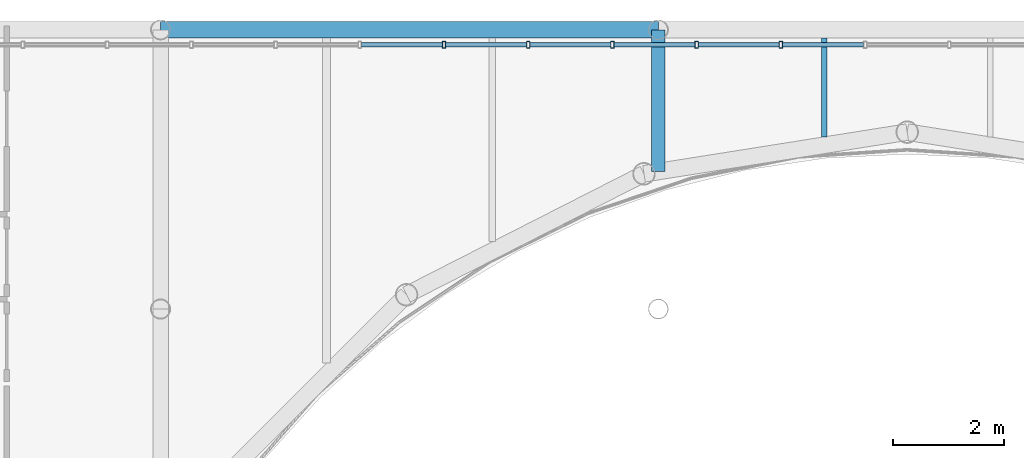
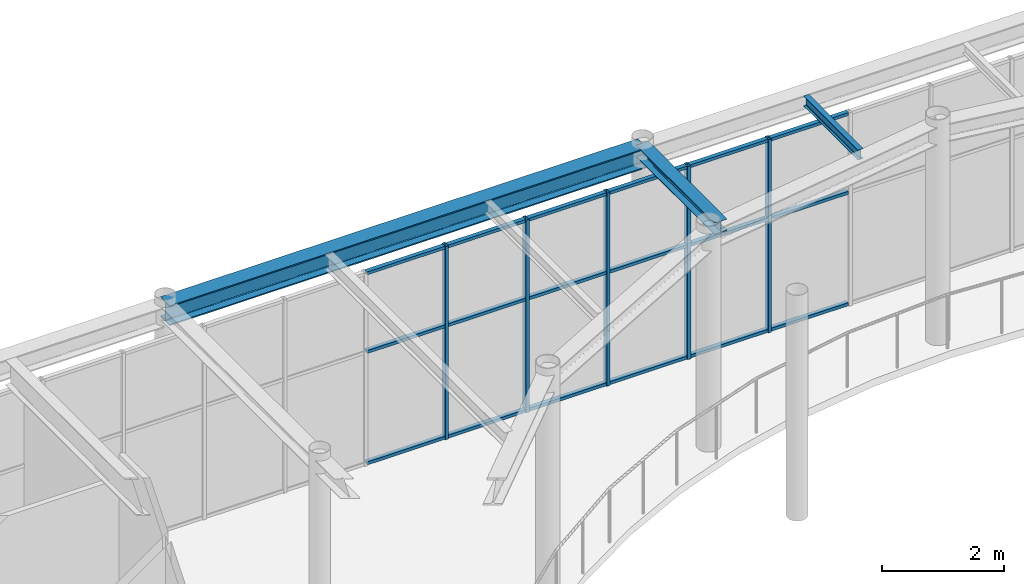
# One storey, part 47 of 111: 23 members, 3 beams, 1 element without a shape of its own.
"""IFC4 building model written with IfcOpenShell, lengths in metres."""

from ifc_helpers import new_model, si_unit, direction, frame, origin, origin_2d, place, context, subcontext, project, spatial, hollow_rectangle, i_section, extrude, material, layer, layer_set, material_profile, profile_set, type_object, element, aggregate, save


model = new_model("IFC4")

# Units and contexts
model_context = context("Model", 3, precision=1e-05, world=origin(), true_north=direction((0.0, 1.0)))
body_context = subcontext(model_context, "Body", "Model", "MODEL_VIEW")
ifc_project = project(units=[si_unit("LENGTHUNIT", "METRE"), si_unit("AREAUNIT", "SQUARE_METRE"), si_unit("VOLUMEUNIT", "CUBIC_METRE"), si_unit("PLANEANGLEUNIT", "RADIAN"), si_unit("MASSUNIT", "GRAM", prefix="KILO")], contexts=[model_context])

# Site, building, storey
site_placement = place(None, origin())
site = spatial("IfcSite", under=ifc_project, at=site_placement, CompositionType="ELEMENT")
building_placement = place(site_placement, origin())
building = spatial("IfcBuilding", under=site, at=building_placement, Name="Kallimachos Central Library", CompositionType="ELEMENT")
storey_placement = place(building_placement, frame((0.0, 0.0, 14.39990234375)))
storey = spatial("IfcBuildingStorey", under=building, at=storey_placement, Name="L03", CompositionType="ELEMENT", Elevation=14.39990234375)

# Curtain wall, members
ifc_material_1 = material(Name="Anodised aluminium and laminated glass", Category="aluminium")
ifc_layer = layer(ifc_material_1, 0.159912109375)
ifc_layer_set = layer_set([ifc_layer], Name="Glass box curtain wall")
curtain_wall_type = type_object("IfcCurtainWallType", Name="Glass box curtain wall", PredefinedType="NOTDEFINED", material=ifc_layer_set)
curtain_wall_placement = place(storey_placement, origin())
curtain_wall = element("IfcCurtainWall", 1, at=curtain_wall_placement, inside=storey, type_object=curtain_wall_type, Name="Glass box curtain wall N L03", PredefinedType="NOTDEFINED")
ifc_material_2 = material(Name="Anodised aluminium", Category="aluminium")
ifc_material_profile_1 = material_profile(ifc_material_2, hollow_rectangle(XDim=0.06005859375, YDim=0.1201171875, WallThickness=0.00390625, at=origin_2d()), Name="ALU MULLION 60x120")
ifc_profile_set_1 = profile_set([ifc_material_profile_1], Name="Anodised aluminium")
member_type_1 = type_object("IfcMemberType", Name="Glass box mullion 60x120", PredefinedType="MULLION", material=ifc_profile_set_1)
member_1_placement = place(storey_placement, frame((79.624755859375, 121.3798828125, 0.0), z_axis=(0.0, 0.0, 1.0), x_axis=(1.0, 0.0, 0.0)))
member_1 = element("IfcMember", 2, at=member_1_placement, type_object=member_type_1, Name="CW27 mullion 10", PredefinedType="MULLION", context=body_context, shape_type="SweptSolid", body=[
    extrude(hollow_rectangle(XDim=0.06005859375, YDim=0.1201171875, WallThickness=0.00390625, at=origin_2d()), origin(), (0.0, 0.0, 1.0), 3.85009765625),
])
member_2_placement = place(storey_placement, frame((81.147705078125, 121.3798828125, 0.0), z_axis=(0.0, 0.0, 1.0), x_axis=(1.0, 0.0, 0.0)))
member_2 = element("IfcMember", 3, at=member_2_placement, type_object=member_type_1, Name="CW27 mullion 11", PredefinedType="MULLION", context=body_context, shape_type="SweptSolid", body=[
    extrude(hollow_rectangle(XDim=0.06005859375, YDim=0.1201171875, WallThickness=0.00390625, at=origin_2d()), origin(), (0.0, 0.0, 1.0), 3.85009765625),
])
member_3_placement = place(storey_placement, frame((82.67041015625, 121.3798828125, 0.0), z_axis=(0.0, 0.0, 1.0), x_axis=(1.0, 0.0, 0.0)))
member_3 = element("IfcMember", 4, at=member_3_placement, type_object=member_type_1, Name="CW27 mullion 12", PredefinedType="MULLION", context=body_context, shape_type="SweptSolid", body=[
    extrude(hollow_rectangle(XDim=0.06005859375, YDim=0.1201171875, WallThickness=0.00390625, at=origin_2d()), origin(), (0.0, 0.0, 1.0), 3.85009765625),
])
member_4_placement = place(storey_placement, frame((84.193115234375, 121.3798828125, 0.0), z_axis=(0.0, 0.0, 1.0), x_axis=(1.0, 0.0, 0.0)))
member_4 = element("IfcMember", 5, at=member_4_placement, type_object=member_type_1, Name="CW27 mullion 13", PredefinedType="MULLION", context=body_context, shape_type="SweptSolid", body=[
    extrude(hollow_rectangle(XDim=0.06005859375, YDim=0.1201171875, WallThickness=0.00390625, at=origin_2d()), origin(), (0.0, 0.0, 1.0), 3.85009765625),
])
member_5_placement = place(storey_placement, frame((85.7158203125, 121.3798828125, 0.0), z_axis=(0.0, 0.0, 1.0), x_axis=(1.0, 0.0, 0.0)))
member_5 = element("IfcMember", 6, at=member_5_placement, type_object=member_type_1, Name="CW27 mullion 14", PredefinedType="MULLION", context=body_context, shape_type="SweptSolid", body=[
    extrude(hollow_rectangle(XDim=0.06005859375, YDim=0.1201171875, WallThickness=0.00390625, at=origin_2d()), origin(), (0.0, 0.0, 1.0), 3.85009765625),
])
ifc_material_3 = material(Name="Anodised aluminium", Category="aluminium")
ifc_material_profile_2 = material_profile(ifc_material_3, hollow_rectangle(XDim=0.06005859375, YDim=0.080078125, WallThickness=0.00390625, at=origin_2d()), Name="ALU TRANSOM 60x80")
ifc_profile_set_2 = profile_set([ifc_material_profile_2], Name="Anodised aluminium")
member_type_2 = type_object("IfcMemberType", Name="Glass box transom 60x80", PredefinedType="USERDEFINED", material=ifc_profile_set_2)
member_6_placement = place(storey_placement, frame((78.132080078125, 121.3798828125, 0.030029296875), z_axis=(1.0, 0.0, 0.0), x_axis=(0.0, 0.0, 1.0)))
member_6 = element("IfcMember", 7, at=member_6_placement, type_object=member_type_2, Name="CW27 transom 9.1", ObjectType="TRANSOM", PredefinedType="USERDEFINED", context=body_context, shape_type="SweptSolid", body=[
    extrude(hollow_rectangle(XDim=0.06005859375, YDim=0.080078125, WallThickness=0.00390625, at=origin_2d()), origin(), (0.0, 0.0, 1.0), 1.462646484375),
])
member_7_placement = place(storey_placement, frame((78.132080078125, 121.3798828125, 2.25), z_axis=(1.0, 0.0, 0.0), x_axis=(0.0, 0.0, 1.0)))
member_7 = element("IfcMember", 8, at=member_7_placement, type_object=member_type_2, Name="CW27 transom 9.2", ObjectType="TRANSOM", PredefinedType="USERDEFINED", context=body_context, shape_type="SweptSolid", body=[
    extrude(hollow_rectangle(XDim=0.06005859375, YDim=0.080078125, WallThickness=0.00390625, at=origin_2d()), origin(), (0.0, 0.0, 1.0), 1.462646484375),
])
member_8_placement = place(storey_placement, frame((78.132080078125, 121.3798828125, 3.820068359375), z_axis=(1.0, 0.0, 0.0), x_axis=(0.0, 0.0, 1.0)))
member_8 = element("IfcMember", 9, at=member_8_placement, type_object=member_type_2, Name="CW27 transom 9.3", ObjectType="TRANSOM", PredefinedType="USERDEFINED", context=body_context, shape_type="SweptSolid", body=[
    extrude(hollow_rectangle(XDim=0.06005859375, YDim=0.080078125, WallThickness=0.00390625, at=origin_2d()), origin(), (0.0, 0.0, 1.0), 1.462646484375),
])
member_9_placement = place(storey_placement, frame((79.65478515625, 121.3798828125, 0.030029296875), z_axis=(1.0, 0.0, 0.0), x_axis=(0.0, 0.0, 1.0)))
member_9 = element("IfcMember", 10, at=member_9_placement, type_object=member_type_2, Name="CW27 transom 10.1", ObjectType="TRANSOM", PredefinedType="USERDEFINED", context=body_context, shape_type="SweptSolid", body=[
    extrude(hollow_rectangle(XDim=0.06005859375, YDim=0.080078125, WallThickness=0.00390625, at=origin_2d()), origin(), (0.0, 0.0, 1.0), 1.462890625),
])
member_10_placement = place(storey_placement, frame((79.65478515625, 121.3798828125, 2.25), z_axis=(1.0, 0.0, 0.0), x_axis=(0.0, 0.0, 1.0)))
member_10 = element("IfcMember", 11, at=member_10_placement, type_object=member_type_2, Name="CW27 transom 10.2", ObjectType="TRANSOM", PredefinedType="USERDEFINED", context=body_context, shape_type="SweptSolid", body=[
    extrude(hollow_rectangle(XDim=0.06005859375, YDim=0.080078125, WallThickness=0.00390625, at=origin_2d()), origin(), (0.0, 0.0, 1.0), 1.462890625),
])
member_11_placement = place(storey_placement, frame((79.65478515625, 121.3798828125, 3.820068359375), z_axis=(1.0, 0.0, 0.0), x_axis=(0.0, 0.0, 1.0)))
member_11 = element("IfcMember", 12, at=member_11_placement, type_object=member_type_2, Name="CW27 transom 10.3", ObjectType="TRANSOM", PredefinedType="USERDEFINED", context=body_context, shape_type="SweptSolid", body=[
    extrude(hollow_rectangle(XDim=0.06005859375, YDim=0.080078125, WallThickness=0.00390625, at=origin_2d()), origin(), (0.0, 0.0, 1.0), 1.462890625),
])
member_12_placement = place(storey_placement, frame((81.177490234375, 121.3798828125, 0.030029296875), z_axis=(1.0, 0.0, 0.0), x_axis=(0.0, 0.0, 1.0)))
member_12 = element("IfcMember", 13, at=member_12_placement, type_object=member_type_2, Name="CW27 transom 11.1", ObjectType="TRANSOM", PredefinedType="USERDEFINED", context=body_context, shape_type="SweptSolid", body=[
    extrude(hollow_rectangle(XDim=0.06005859375, YDim=0.080078125, WallThickness=0.00390625, at=origin_2d()), origin(), (0.0, 0.0, 1.0), 1.462890625),
])
member_13_placement = place(storey_placement, frame((81.177490234375, 121.3798828125, 2.25), z_axis=(1.0, 0.0, 0.0), x_axis=(0.0, 0.0, 1.0)))
member_13 = element("IfcMember", 14, at=member_13_placement, type_object=member_type_2, Name="CW27 transom 11.2", ObjectType="TRANSOM", PredefinedType="USERDEFINED", context=body_context, shape_type="SweptSolid", body=[
    extrude(hollow_rectangle(XDim=0.06005859375, YDim=0.080078125, WallThickness=0.00390625, at=origin_2d()), origin(), (0.0, 0.0, 1.0), 1.462890625),
])
member_14_placement = place(storey_placement, frame((81.177490234375, 121.3798828125, 3.820068359375), z_axis=(1.0, 0.0, 0.0), x_axis=(0.0, 0.0, 1.0)))
member_14 = element("IfcMember", 15, at=member_14_placement, type_object=member_type_2, Name="CW27 transom 11.3", ObjectType="TRANSOM", PredefinedType="USERDEFINED", context=body_context, shape_type="SweptSolid", body=[
    extrude(hollow_rectangle(XDim=0.06005859375, YDim=0.080078125, WallThickness=0.00390625, at=origin_2d()), origin(), (0.0, 0.0, 1.0), 1.462890625),
])
member_15_placement = place(storey_placement, frame((82.700439453125, 121.3798828125, 0.030029296875), z_axis=(1.0, 0.0, 0.0), x_axis=(0.0, 0.0, 1.0)))
member_15 = element("IfcMember", 16, at=member_15_placement, type_object=member_type_2, Name="CW27 transom 12.1", ObjectType="TRANSOM", PredefinedType="USERDEFINED", context=body_context, shape_type="SweptSolid", body=[
    extrude(hollow_rectangle(XDim=0.06005859375, YDim=0.080078125, WallThickness=0.00390625, at=origin_2d()), origin(), (0.0, 0.0, 1.0), 1.462646484375),
])
member_16_placement = place(storey_placement, frame((82.700439453125, 121.3798828125, 2.25), z_axis=(1.0, 0.0, 0.0), x_axis=(0.0, 0.0, 1.0)))
member_16 = element("IfcMember", 17, at=member_16_placement, type_object=member_type_2, Name="CW27 transom 12.2", ObjectType="TRANSOM", PredefinedType="USERDEFINED", context=body_context, shape_type="SweptSolid", body=[
    extrude(hollow_rectangle(XDim=0.06005859375, YDim=0.080078125, WallThickness=0.00390625, at=origin_2d()), origin(), (0.0, 0.0, 1.0), 1.462646484375),
])
member_17_placement = place(storey_placement, frame((82.700439453125, 121.3798828125, 3.820068359375), z_axis=(1.0, 0.0, 0.0), x_axis=(0.0, 0.0, 1.0)))
member_17 = element("IfcMember", 18, at=member_17_placement, type_object=member_type_2, Name="CW27 transom 12.3", ObjectType="TRANSOM", PredefinedType="USERDEFINED", context=body_context, shape_type="SweptSolid", body=[
    extrude(hollow_rectangle(XDim=0.06005859375, YDim=0.080078125, WallThickness=0.00390625, at=origin_2d()), origin(), (0.0, 0.0, 1.0), 1.462646484375),
])
member_18_placement = place(storey_placement, frame((84.22314453125, 121.3798828125, 0.030029296875), z_axis=(1.0, 0.0, 0.0), x_axis=(0.0, 0.0, 1.0)))
member_18 = element("IfcMember", 19, at=member_18_placement, type_object=member_type_2, Name="CW27 transom 13.1", ObjectType="TRANSOM", PredefinedType="USERDEFINED", context=body_context, shape_type="SweptSolid", body=[
    extrude(hollow_rectangle(XDim=0.06005859375, YDim=0.080078125, WallThickness=0.00390625, at=origin_2d()), origin(), (0.0, 0.0, 1.0), 1.462646484375),
])
member_19_placement = place(storey_placement, frame((84.22314453125, 121.3798828125, 2.25), z_axis=(1.0, 0.0, 0.0), x_axis=(0.0, 0.0, 1.0)))
member_19 = element("IfcMember", 20, at=member_19_placement, type_object=member_type_2, Name="CW27 transom 13.2", ObjectType="TRANSOM", PredefinedType="USERDEFINED", context=body_context, shape_type="SweptSolid", body=[
    extrude(hollow_rectangle(XDim=0.06005859375, YDim=0.080078125, WallThickness=0.00390625, at=origin_2d()), origin(), (0.0, 0.0, 1.0), 1.462646484375),
])
member_20_placement = place(storey_placement, frame((84.22314453125, 121.3798828125, 3.820068359375), z_axis=(1.0, 0.0, 0.0), x_axis=(0.0, 0.0, 1.0)))
member_20 = element("IfcMember", 21, at=member_20_placement, type_object=member_type_2, Name="CW27 transom 13.3", ObjectType="TRANSOM", PredefinedType="USERDEFINED", context=body_context, shape_type="SweptSolid", body=[
    extrude(hollow_rectangle(XDim=0.06005859375, YDim=0.080078125, WallThickness=0.00390625, at=origin_2d()), origin(), (0.0, 0.0, 1.0), 1.462646484375),
])
member_21_placement = place(storey_placement, frame((85.745849609375, 121.3798828125, 0.030029296875), z_axis=(1.0, 0.0, 0.0), x_axis=(0.0, 0.0, 1.0)))
member_21 = element("IfcMember", 22, at=member_21_placement, type_object=member_type_2, Name="CW27 transom 14.1", ObjectType="TRANSOM", PredefinedType="USERDEFINED", context=body_context, shape_type="SweptSolid", body=[
    extrude(hollow_rectangle(XDim=0.06005859375, YDim=0.080078125, WallThickness=0.00390625, at=origin_2d()), origin(), (0.0, 0.0, 1.0), 1.462890625),
])
member_22_placement = place(storey_placement, frame((85.745849609375, 121.3798828125, 2.25), z_axis=(1.0, 0.0, 0.0), x_axis=(0.0, 0.0, 1.0)))
member_22 = element("IfcMember", 23, at=member_22_placement, type_object=member_type_2, Name="CW27 transom 14.2", ObjectType="TRANSOM", PredefinedType="USERDEFINED", context=body_context, shape_type="SweptSolid", body=[
    extrude(hollow_rectangle(XDim=0.06005859375, YDim=0.080078125, WallThickness=0.00390625, at=origin_2d()), origin(), (0.0, 0.0, 1.0), 1.462890625),
])
member_23_placement = place(storey_placement, frame((85.745849609375, 121.3798828125, 3.820068359375), z_axis=(1.0, 0.0, 0.0), x_axis=(0.0, 0.0, 1.0)))
member_23 = element("IfcMember", 24, at=member_23_placement, type_object=member_type_2, Name="CW27 transom 14.3", ObjectType="TRANSOM", PredefinedType="USERDEFINED", context=body_context, shape_type="SweptSolid", body=[
    extrude(hollow_rectangle(XDim=0.06005859375, YDim=0.080078125, WallThickness=0.00390625, at=origin_2d()), origin(), (0.0, 0.0, 1.0), 1.462890625),
])
aggregate(curtain_wall, [member_1, member_2, member_3, member_4, member_5, member_6, member_7, member_8, member_9, member_10, member_11, member_12, member_13, member_14, member_15, member_16, member_17, member_18, member_19, member_20, member_21, member_22, member_23])

# Beams
ifc_material_4 = material(Name="Steel S355J2", Category="steel")
ifc_material_profile_3 = material_profile(ifc_material_4, i_section(OverallWidth=0.239990234375, OverallDepth=0.22998046875, WebThickness=0.007568359375, FlangeThickness=0.011962890625, FilletRadius=0.02099609375, at=origin_2d()), Name="HEA 240")
ifc_profile_set_3 = profile_set([ifc_material_profile_3], Name="Steel S355J2")
beam_type_1 = type_object("IfcBeamType", Name="HEA 240 beam", PredefinedType="BEAM", material=ifc_profile_set_3)
beam_1_placement = place(storey_placement, frame((83.5, 119.08740234375, 4.235107421875), z_axis=(0.0, 1.0, 0.0), x_axis=(-1.0, 0.0, 0.0)))
element("IfcBeam", 25, at=beam_1_placement, inside=storey, type_object=beam_type_1, Name="V1-BEM-L03-029", PredefinedType="BEAM", context=body_context, shape_type="SweptSolid", body=[
    extrude(i_section(OverallWidth=0.239990234375, OverallDepth=0.22998046875, WebThickness=0.007568359375, FlangeThickness=0.011962890625, FilletRadius=0.02099609375, at=origin_2d()), origin(), (0.0, 0.0, 1.0), 2.5625),
])
ifc_material_5 = material(Name="Steel S355J2", Category="steel")
ifc_material_profile_4 = material_profile(ifc_material_5, i_section(OverallWidth=0.300048828125, OverallDepth=0.39990234375, WebThickness=0.013427734375, FlangeThickness=0.02392578125, FilletRadius=0.027099609375, at=origin_2d()), Name="HEB 400")
ifc_profile_set_4 = profile_set([ifc_material_profile_4], Name="Steel S355J2")
beam_type_2 = type_object("IfcBeamType", Name="HEB 400 beam", PredefinedType="BEAM", material=ifc_profile_set_4)
beam_2_placement = place(storey_placement, frame((74.5, 121.64990234375, 4.150146484375), z_axis=(1.0, 0.0, 0.0), x_axis=(0.0, 1.0, 0.0)))
element("IfcBeam", 26, at=beam_2_placement, inside=storey, type_object=beam_type_2, Name="V1-BEM-L03-045", PredefinedType="BEAM", context=body_context, shape_type="SweptSolid", body=[
    extrude(i_section(OverallWidth=0.300048828125, OverallDepth=0.39990234375, WebThickness=0.013427734375, FlangeThickness=0.02392578125, FilletRadius=0.027099609375, at=origin_2d()), origin(), (0.0, 0.0, 1.0), 9.0),
])
ifc_material_6 = material(Name="Steel S355J2", Category="steel")
ifc_material_profile_5 = material_profile(ifc_material_6, i_section(OverallWidth=0.10009765625, OverallDepth=0.199951171875, WebThickness=0.005615234375, FlangeThickness=0.008544921875, FilletRadius=0.011962890625, at=origin_2d()), Name="IPE 200")
ifc_profile_set_5 = profile_set([ifc_material_profile_5], Name="Steel S355J2")
beam_type_3 = type_object("IfcBeamType", Name="IPE 200 beam", PredefinedType="BEAM", material=ifc_profile_set_5)
beam_3_placement = place(storey_placement, frame((86.5, 119.71435546875, 4.25), z_axis=(0.0, 1.0, 0.0), x_axis=(-1.0, 0.0, 0.0)))
element("IfcBeam", 27, at=beam_3_placement, inside=storey, type_object=beam_type_3, Name="V1-BEM-L03-058", PredefinedType="BEAM", context=body_context, shape_type="SweptSolid", body=[
    extrude(i_section(OverallWidth=0.10009765625, OverallDepth=0.199951171875, WebThickness=0.005615234375, FlangeThickness=0.008544921875, FilletRadius=0.011962890625, at=origin_2d()), origin(), (0.0, 0.0, 1.0), 1.78564453125),
])

save(model, "model.ifc")
